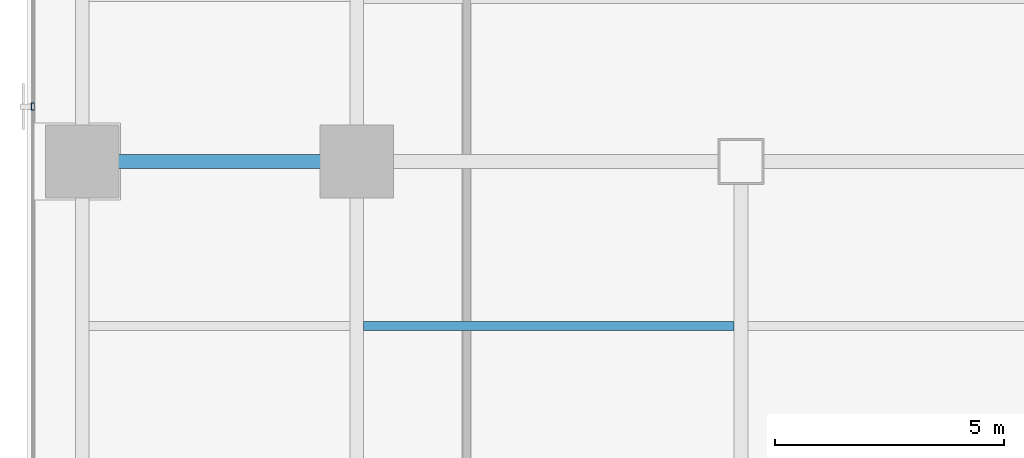
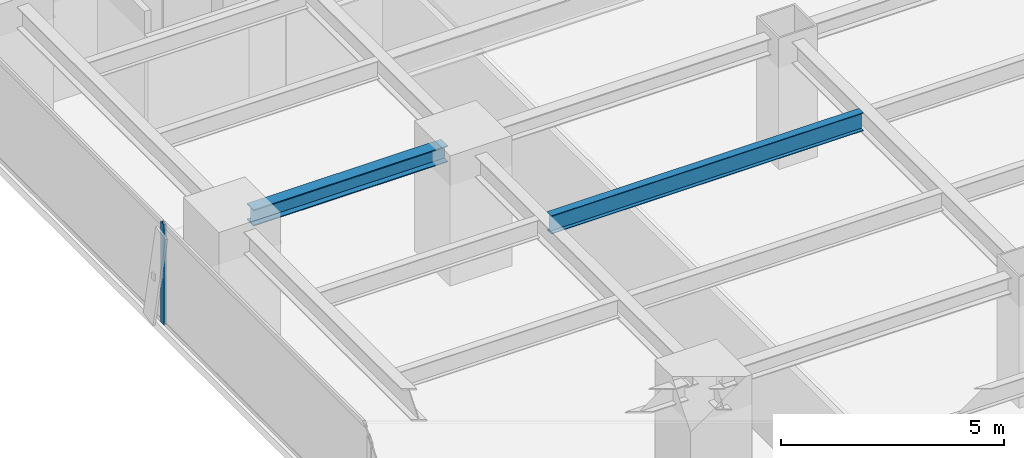
# One storey, part 7 of 27: 2 beams, 1 member, 1 element without a shape of its own.
"""IFC4 building model written with IfcOpenShell, lengths in metres."""

from ifc_helpers import new_model, si_unit, direction, frame, origin, origin_2d, place, context, subcontext, project, spatial, hollow_rectangle, i_section, extrude, source, transform, mapped, material, layer, layer_set, material_profile, profile_set, type_object, element, aggregate, save


model = new_model("IFC4")

# Units and contexts
model_context = context("Model", 3, precision=1e-05, world=origin(), true_north=direction((0.0, 1.0)))
body_context = subcontext(model_context, "Body", "Model", "MODEL_VIEW")
ifc_project = project(units=[si_unit("LENGTHUNIT", "METRE"), si_unit("AREAUNIT", "SQUARE_METRE"), si_unit("VOLUMEUNIT", "CUBIC_METRE"), si_unit("PLANEANGLEUNIT", "RADIAN"), si_unit("MASSUNIT", "GRAM", prefix="KILO")], contexts=[model_context])

# Site, building, storey
site_placement = place(None, origin())
site = spatial("IfcSite", under=ifc_project, at=site_placement, CompositionType="ELEMENT")
building_placement = place(site_placement, origin())
building = spatial("IfcBuilding", under=site, at=building_placement, Name="Sumidabori Civic Tower", CompositionType="ELEMENT")
storey_placement = place(building_placement, frame((0.0, 0.0, 156.800048828125)))
storey = spatial("IfcBuildingStorey", under=building, at=storey_placement, Name="L40", CompositionType="ELEMENT", Elevation=156.800048828125)

# Beams
ifc_material_1 = material(Name="Steel SN490", Category="steel")
ifc_material_profile_1 = material_profile(ifc_material_1, i_section(OverallWidth=0.199951171875, OverallDepth=0.5, WebThickness=0.01025390625, FlangeThickness=0.01611328125, at=origin_2d()), Name="IPE 500")
ifc_profile_set_1 = profile_set([ifc_material_profile_1], Name="Steel SN490")
beam_type_1 = type_object("IfcBeamType", Name="BM-JST-500", PredefinedType="JOIST", material=ifc_profile_set_1)
shared_shape_1 = source(origin(), body_context, "Body", "SweptSolid", [
    extrude(i_section(OverallWidth=0.199951171875, OverallDepth=0.5, WebThickness=0.01025390625, FlangeThickness=0.01611328125, at=origin_2d()), origin(), (0.0, 0.0, 1.0), 8.099853515625),
])
beam_1_placement = place(storey_placement, frame((-16.64990234375, -3.60009765625, 3.1298828125), z_axis=(1.0, 0.0, 0.0), x_axis=(0.0, 1.0, 0.0)))
element("IfcBeam", 1, at=beam_1_placement, inside=storey, type_object=beam_type_1, Name="South Bay Floor Joist L40 JSTS-57", PredefinedType="JOIST", context=body_context, shape_type="MappedRepresentation", body=[
    mapped(shared_shape_1, transform((0.0, 0.0, 0.0), x_axis=(1.0, 0.0, 0.0), y_axis=(0.0, 1.0, 0.0), z_axis=(0.0, 0.0, 1.0), scale=1.0)),
])
ifc_material_profile_2 = material_profile(ifc_material_1, i_section(OverallWidth=0.300048828125, OverallDepth=0.449951171875, WebThickness=0.013916015625, FlangeThickness=0.02587890625, at=origin_2d()), Name="HE 450 B")
ifc_profile_set_2 = profile_set([ifc_material_profile_2], Name="Steel SN490")
beam_type_2 = type_object("IfcBeamType", Name="BM-GIRD-450", PredefinedType="BEAM", material=ifc_profile_set_2)
shared_shape_2 = source(origin(), body_context, "Body", "SweptSolid", [
    extrude(i_section(OverallWidth=0.300048828125, OverallDepth=0.449951171875, WebThickness=0.013916015625, FlangeThickness=0.02587890625, at=origin_2d()), origin(), (0.0, 0.0, 1.0), 5.0400390625),
])
beam_2_placement = place(storey_placement, frame((-22.320068359375, 0.0, 3.155029296875), z_axis=(1.0, 0.0, 0.0), x_axis=(0.0, 1.0, 0.0)))
element("IfcBeam", 2, at=beam_2_placement, inside=storey, type_object=beam_type_2, Name="Primary Girder L40 GX-11", PredefinedType="BEAM", context=body_context, shape_type="MappedRepresentation", body=[
    mapped(shared_shape_2, transform((0.0, 0.0, 0.0), x_axis=(1.0, 0.0, 0.0), y_axis=(0.0, 1.0, 0.0), z_axis=(0.0, 0.0, 1.0), scale=1.0)),
])

# Curtain wall, member
ifc_material_2 = material(Name="Anodised Bronze Aluminium AW-6063-T6", Category="aluminium")
ifc_layer = layer(ifc_material_2, 0.179931640625, Name="Anodised Bronze Aluminium AW-6063-T6")
ifc_layer_set = layer_set([ifc_layer], Name="Anodised Bronze Aluminium AW-6063-T6")
curtain_wall_type = type_object("IfcCurtainWallType", Name="CW-SYS-3", PredefinedType="NOTDEFINED", material=ifc_layer_set)
curtain_wall_placement = place(storey_placement, origin())
curtain_wall = element("IfcCurtainWall", 3, at=curtain_wall_placement, inside=storey, type_object=curtain_wall_type, Name="Curtain Wall CW:L40:R10", PredefinedType="NOTDEFINED")
ifc_material_profile_3 = material_profile(ifc_material_2, hollow_rectangle(XDim=0.06494140625, YDim=0.159912109375, WallThickness=0.0048828125, at=origin_2d()), Name="ALU MULLION 160x65")
ifc_profile_set_3 = profile_set([ifc_material_profile_3], Name="Anodised Bronze Aluminium AW-6063-T6")
member_type = type_object("IfcMemberType", Name="CW-MUL-160", PredefinedType="MULLION", material=ifc_profile_set_3)
shared_shape_3 = source(origin(), body_context, "Body", "SweptSolid", [
    extrude(hollow_rectangle(XDim=0.06494140625, YDim=0.159912109375, WallThickness=0.0048828125, at=origin_2d()), origin(), (0.0, 0.0, 1.0), 2.760009765625),
])
member_placement = place(storey_placement, frame((-23.8798828125, 1.199951171875, 0.0), z_axis=(0.0, 0.0, 1.0), x_axis=(1.0, 0.0, 0.0)))
member = element("IfcMember", 4, at=member_placement, type_object=member_type, Name="CW-3 mullion 3", PredefinedType="MULLION", context=body_context, shape_type="MappedRepresentation", body=[
    mapped(shared_shape_3, transform((0.0, 0.0, 0.0), x_axis=(1.0, 0.0, 0.0), y_axis=(0.0, 1.0, 0.0), z_axis=(0.0, 0.0, 1.0), scale=1.0)),
])
aggregate(curtain_wall, [member])

save(model, "model.ifc")
